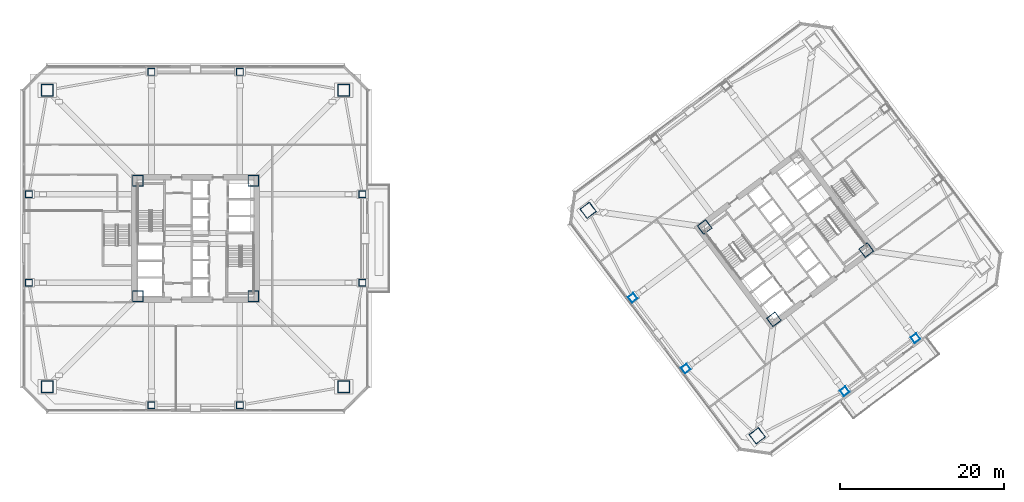
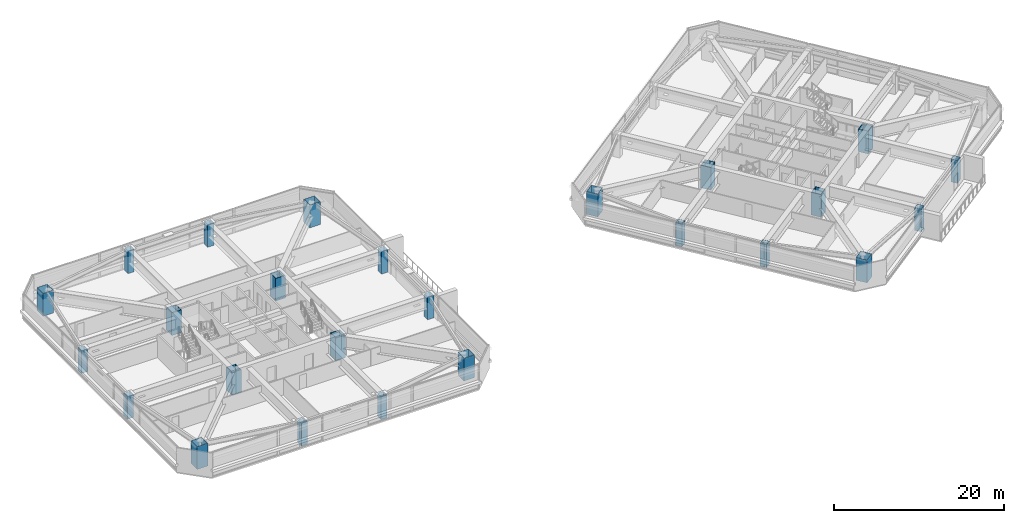
# One storey, part 1 of 49: 25 columns.
"""IFC4 building model written with IfcOpenShell, lengths in metres."""

from ifc_helpers import new_model, si_unit, direction, frame, origin, origin_2d, place, context, subcontext, project, spatial, hollow_rectangle, extrude, material, material_profile, profile_set, type_object, element, save


model = new_model("IFC4")

# Units and contexts
model_context = context("Model", 3, precision=1e-05, world=origin(), true_north=direction((0.0, 1.0)))
body_context = subcontext(model_context, "Body", "Model", "MODEL_VIEW")
ifc_project = project(units=[si_unit("LENGTHUNIT", "METRE"), si_unit("AREAUNIT", "SQUARE_METRE"), si_unit("VOLUMEUNIT", "CUBIC_METRE"), si_unit("PLANEANGLEUNIT", "RADIAN"), si_unit("MASSUNIT", "GRAM", prefix="KILO")], contexts=[model_context])

# Site, building, storey
site_placement = place(None, origin())
site = spatial("IfcSite", under=ifc_project, at=site_placement, CompositionType="ELEMENT")
building_placement = place(site_placement, origin())
building = spatial("IfcBuilding", under=site, at=building_placement, Name="Tashvorn Skyway Center", CompositionType="ELEMENT")
storey_placement = place(building_placement, frame((0.0, 0.0, 106.25)))
storey = spatial("IfcBuildingStorey", under=building, at=storey_placement, Name="L28", CompositionType="ELEMENT", Elevation=106.25)

# Columns
ifc_material = material(Name="Steel ASTM A572 Grade 50", Category="steel")
ifc_material_profile_1 = material_profile(ifc_material, hollow_rectangle(XDim=1.300048828125, YDim=1.300048828125, WallThickness=0.050048828125, at=origin_2d()), Name="BOX1300x1300x50")
ifc_profile_set_1 = profile_set([ifc_material_profile_1], Name="Steel ASTM A572 Grade 50")
column_type_1 = type_object("IfcColumnType", Name="COL-BOX1300x1300x50", PredefinedType="COLUMN", material=ifc_profile_set_1)
for number, where, z_axis, x_axis, name in (
    (1, (34.949951171875, 24.949951171875, 0.0), (0.0, 0.0, 1.0), (1.0, 0.0, 0.0), "Tower 1 L28 Core Corner Column CC-SW"),
    (2, (49.050048828125, 24.949951171875, 0.0), (0.0, 0.0, 1.0), (1.0, 0.0, 0.0), "Tower 1 L28 Core Corner Column CC-SE"),
    (3, (49.050048828125, 39.050048828125, 0.0), (0.0, 0.0, 1.0), (1.0, 0.0, 0.0), "Tower 1 L28 Core Corner Column CC-NE"),
    (4, (34.949951171875, 39.050048828125, 0.0), (0.0, 0.0, 1.0), (1.0, 0.0, 0.0), "Tower 1 L28 Core Corner Column CC-NW"),
    (5, (112.590087890625, 22.1298828125, 0.0), (0.0, 0.0, 1.0), (0.799999996291, 0.600000004945, 0.0), "Tower 2 L28 Core Corner Column CC-SW"),
    (6, (123.8701171875, 30.590087890625, 0.0), (0.0, 0.0, 1.0), (0.799999996291, 0.600000004945, 0.0), "Tower 2 L28 Core Corner Column CC-SE"),
    (7, (104.1298828125, 33.409912109375, 0.0), (0.0, 0.0, 1.0), (0.799999996291, 0.600000004945, 0.0), "Tower 2 L28 Core Corner Column CC-NW"),
):
    element("IfcColumn", number, at=place(storey_placement, frame(where, z_axis=z_axis, x_axis=x_axis)), inside=storey, type_object=column_type_1, Name=name, PredefinedType="COLUMN", context=body_context, shape_type="SweptSolid", body=[
        extrude(hollow_rectangle(XDim=1.300048828125, YDim=1.300048828125, WallThickness=0.050048828125, at=origin_2d()), origin(), (0.0, 0.0, 1.0), 3.25),
    ])
ifc_material_profile_2 = material_profile(ifc_material, hollow_rectangle(XDim=1.449951171875, YDim=1.449951171875, WallThickness=0.054931640625, at=origin_2d()), Name="BOX1450x1450x55")
ifc_profile_set_2 = profile_set([ifc_material_profile_2], Name="Steel ASTM A572 Grade 50")
column_type_2 = type_object("IfcColumnType", Name="COL-BOX1450x1450x55", PredefinedType="COLUMN", material=ifc_profile_set_2)
for number, where, z_axis, x_axis, name in (
    (8, (23.89990234375, 13.89990234375, 0.0), (0.0, 0.0, 1.0), (1.0, 0.0, 0.0), "Tower 1 L28 Mega-Column MC-SW"),
    (9, (60.10009765625, 13.89990234375, 0.0), (0.0, 0.0, 1.0), (1.0, 0.0, 0.0), "Tower 1 L28 Mega-Column MC-SE"),
    (10, (60.10009765625, 50.10009765625, 0.0), (0.0, 0.0, 1.0), (1.0, 0.0, 0.0), "Tower 1 L28 Mega-Column MC-NE"),
    (11, (23.89990234375, 50.10009765625, 0.0), (0.0, 0.0, 1.0), (1.0, 0.0, 0.0), "Tower 1 L28 Mega-Column MC-NW"),
    (12, (110.56005859375, 7.919921875, 0.0), (0.0, 0.0, 1.0), (0.799999996291, 0.600000004945, 0.0), "Tower 2 L28 Mega-Column MC-SW"),
    (13, (89.919921875, 35.43994140625, 0.0), (0.0, 0.0, 1.0), (0.799999996291, 0.600000004945, 0.0), "Tower 2 L28 Mega-Column MC-NW"),
):
    element("IfcColumn", number, at=place(storey_placement, frame(where, z_axis=z_axis, x_axis=x_axis)), inside=storey, type_object=column_type_2, Name=name, PredefinedType="COLUMN", context=body_context, shape_type="SweptSolid", body=[
        extrude(hollow_rectangle(XDim=1.449951171875, YDim=1.449951171875, WallThickness=0.054931640625, at=origin_2d()), origin(), (0.0, 0.0, 1.0), 3.25),
    ])
ifc_material_profile_3 = material_profile(ifc_material, hollow_rectangle(XDim=0.85009765625, YDim=0.85009765625, WallThickness=0.034912109375, at=origin_2d()), Name="BOX850x850x35")
ifc_profile_set_3 = profile_set([ifc_material_profile_3], Name="Steel ASTM A572 Grade 50")
column_type_3 = type_object("IfcColumnType", Name="COL-BOX850x850x35", PredefinedType="COLUMN", material=ifc_profile_set_3)
for number, where, z_axis, x_axis, name in (
    (14, (36.60009765625, 11.64990234375, 0.0), (0.0, 0.0, 1.0), (1.0, 0.0, 0.0), "Tower 1 L28 Perimeter Column FC-S1"),
    (15, (47.39990234375, 11.64990234375, 0.0), (0.0, 0.0, 1.0), (1.0, 0.0, 0.0), "Tower 1 L28 Perimeter Column FC-S2"),
    (16, (62.35009765625, 26.60009765625, 0.0), (0.0, 0.0, 1.0), (1.0, 0.0, 0.0), "Tower 1 L28 Perimeter Column FC-E1"),
    (17, (62.35009765625, 37.39990234375, 0.0), (0.0, 0.0, 1.0), (1.0, 0.0, 0.0), "Tower 1 L28 Perimeter Column FC-E2"),
    (18, (47.39990234375, 52.35009765625, 0.0), (0.0, 0.0, 1.0), (1.0, 0.0, 0.0), "Tower 1 L28 Perimeter Column FC-N1"),
    (19, (36.60009765625, 52.35009765625, 0.0), (0.0, 0.0, 1.0), (1.0, 0.0, 0.0), "Tower 1 L28 Perimeter Column FC-N2"),
    (20, (21.64990234375, 37.39990234375, 0.0), (0.0, 0.0, 1.0), (1.0, 0.0, 0.0), "Tower 1 L28 Perimeter Column FC-W1"),
    (21, (21.64990234375, 26.60009765625, 0.0), (0.0, 0.0, 1.0), (1.0, 0.0, 0.0), "Tower 1 L28 Perimeter Column FC-W2"),
    (22, (121.22998046875, 13.360107421875, 0.0), (0.0, 0.0, 1.0), (0.799999996291, 0.600000004945, 0.0), "Tower 2 L28 Perimeter Column FC-S1"),
    (23, (129.8701171875, 19.840087890625, 0.0), (0.0, 0.0, 1.0), (0.799999996291, 0.600000004945, 0.0), "Tower 2 L28 Perimeter Column FC-S2"),
    (24, (95.360107421875, 24.77001953125, 0.0), (0.0, 0.0, 1.0), (0.799999996291, 0.600000004945, 0.0), "Tower 2 L28 Perimeter Column FC-W1"),
    (25, (101.840087890625, 16.1298828125, 0.0), (0.0, 0.0, 1.0), (0.799999996291, 0.600000004945, 0.0), "Tower 2 L28 Perimeter Column FC-W2"),
):
    element("IfcColumn", number, at=place(storey_placement, frame(where, z_axis=z_axis, x_axis=x_axis)), inside=storey, type_object=column_type_3, Name=name, PredefinedType="COLUMN", context=body_context, shape_type="SweptSolid", body=[
        extrude(hollow_rectangle(XDim=0.85009765625, YDim=0.85009765625, WallThickness=0.034912109375, at=origin_2d()), origin(), (0.0, 0.0, 1.0), 3.25),
    ])

save(model, "model.ifc")
